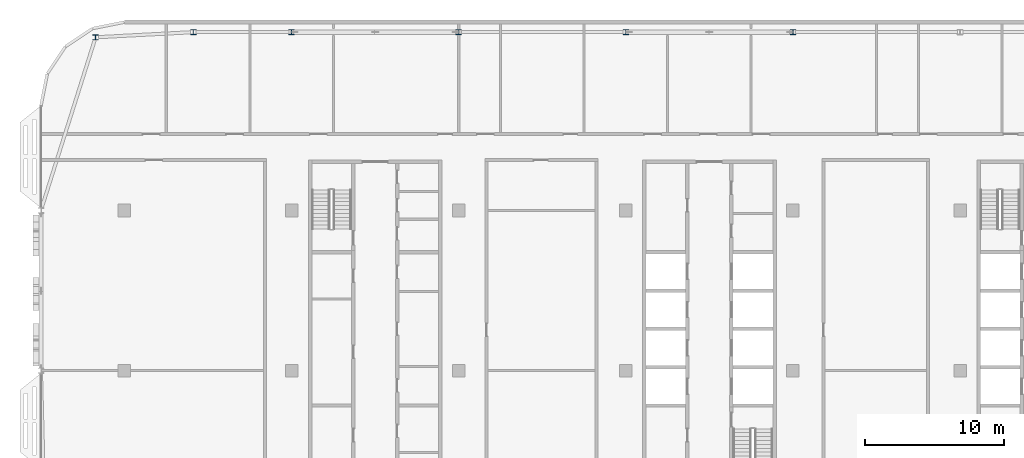
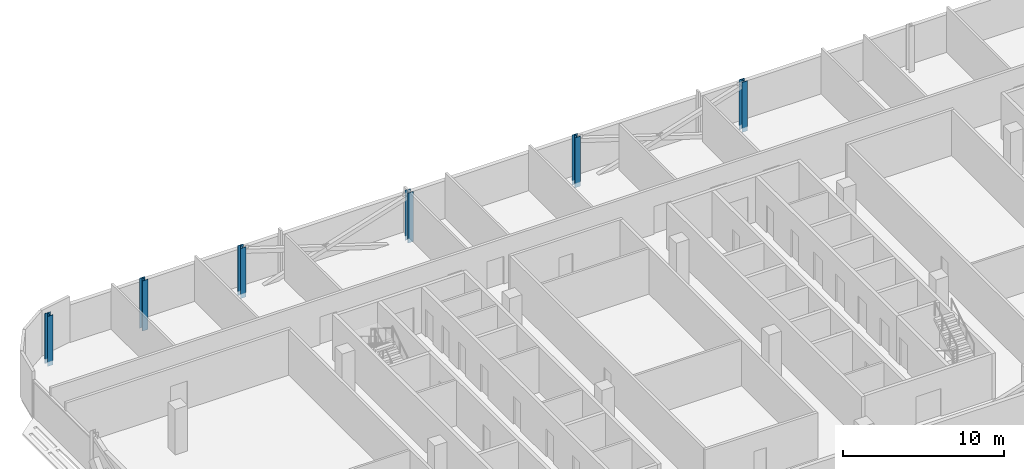
# One storey, part 3 of 29: 6 columns.
"""IFC4 building model written with IfcOpenShell, lengths in metres."""

from ifc_helpers import new_model, si_unit, direction, frame, origin, origin_2d, place, context, subcontext, project, spatial, i_section, extrude, material, material_profile, profile_set, type_object, element, save


model = new_model("IFC4")

# Units and contexts
model_context = context("Model", 3, precision=1e-05, world=origin(), true_north=direction((0.0, 1.0)))
body_context = subcontext(model_context, "Body", "Model", "MODEL_VIEW")
ifc_project = project(units=[si_unit("LENGTHUNIT", "METRE"), si_unit("AREAUNIT", "SQUARE_METRE"), si_unit("VOLUMEUNIT", "CUBIC_METRE"), si_unit("PLANEANGLEUNIT", "RADIAN"), si_unit("MASSUNIT", "GRAM", prefix="KILO")], contexts=[model_context])

# Site, building, storey
site_placement = place(None, origin())
site = spatial("IfcSite", under=ifc_project, at=site_placement, CompositionType="ELEMENT")
building_placement = place(site_placement, origin())
building = spatial("IfcBuilding", under=site, at=building_placement, Name="Mahtab Terrace Research Tower", CompositionType="ELEMENT")
storey_placement = place(building_placement, frame((0.0, 0.0, 274.699951171875)))
storey = spatial("IfcBuildingStorey", under=building, at=storey_placement, Name="L67", CompositionType="ELEMENT", Elevation=274.699951171875)

# Columns
ifc_material = material(Name="Steel ASTM A992 Gr 50", Category="steel")
ifc_material_profile = material_profile(ifc_material, i_section(OverallWidth=0.393798828125, OverallDepth=0.3759765625, WebThickness=0.017333984375, FlangeThickness=0.027587890625, at=origin_2d()), Name="W14X145")
ifc_profile_set = profile_set([ifc_material_profile], Name="Steel ASTM A992 Gr 50")
column_type = type_object("IfcColumnType", Name="W14x145 column CS14145", PredefinedType="COLUMN", material=ifc_profile_set)
for number, where, z_axis, x_axis, name in (
    (1, (6.0, 24.306884765625, -0.33984375), (0.0, 0.0, 1.0), (1.0, 0.0, 0.0), "Column SC-074 L67"),
    (2, (-6.0, 24.306884765625, -0.33984375), (0.0, 0.0, 1.0), (1.0, 0.0, 0.0), "Column SC-075 L67"),
    (3, (-18.0, 24.306884765625, -0.33984375), (0.0, 0.0, 1.0), (1.0, 0.0, 0.0), "Column SC-076 L67"),
    (4, (-30.0, 24.306884765625, -0.33984375), (0.0, 0.0, 1.0), (1.0, 0.0, 0.0), "Column SC-077 L67"),
    (5, (-37.05810546875, 24.306884765625, -0.33984375), (0.0, 0.0, 1.0), (1.0, 0.0, 0.0), "Column SC-078 L67"),
    (6, (-44.072021484375, 23.93701171875, -0.33984375), (0.0, 0.0, 1.0), (1.0, 0.0, 0.0), "Column SC-079 L67"),
):
    element("IfcColumn", number, at=place(storey_placement, frame(where, z_axis=z_axis, x_axis=x_axis)), inside=storey, type_object=column_type, Name=name, PredefinedType="COLUMN", context=body_context, shape_type="SweptSolid", body=[
        extrude(i_section(OverallWidth=0.393798828125, OverallDepth=0.3759765625, WebThickness=0.017333984375, FlangeThickness=0.027587890625, at=origin_2d()), origin(), (0.0, 0.0, 1.0), 3.7998046875),
    ])

save(model, "model.ifc")
